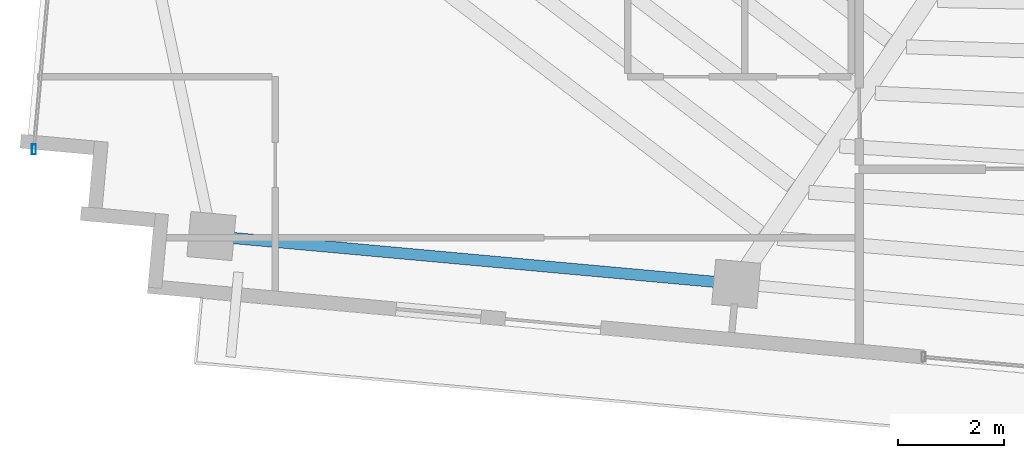
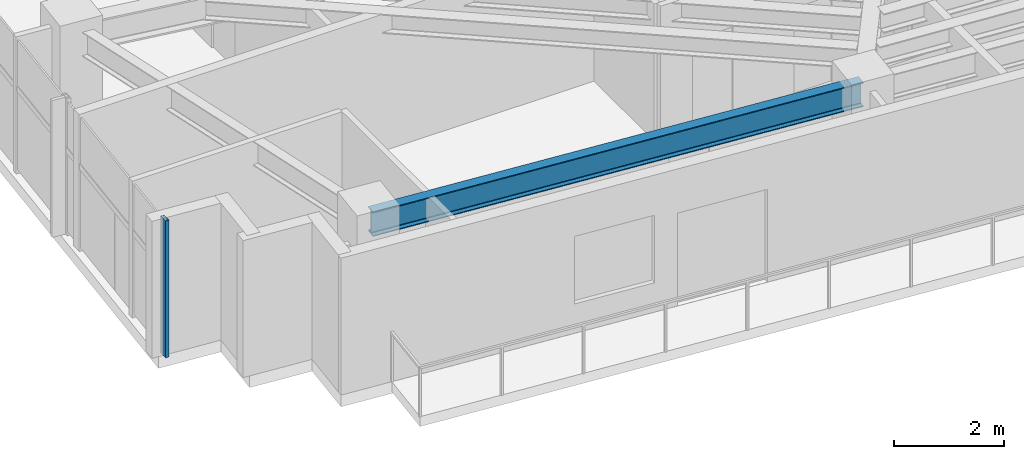
# One storey, part 2 of 22: 1 beam, 1 member, 1 element without a shape of its own.
"""IFC4 building model written with IfcOpenShell, lengths in metres."""

from ifc_helpers import new_model, si_unit, direction, frame, origin, origin_2d, place, context, subcontext, project, spatial, hollow_rectangle, i_section, extrude, source, transform, mapped, material, material_profile, profile_set, type_object, type_shapes, element, aggregate, save


model = new_model("IFC4")

# Units and contexts
model_context = context("Model", 3, precision=1e-05, world=origin(), true_north=direction((0.0, 1.0)))
body_context = subcontext(model_context, "Body", "Model", "MODEL_VIEW")
ifc_project = project(units=[si_unit("LENGTHUNIT", "METRE"), si_unit("AREAUNIT", "SQUARE_METRE"), si_unit("VOLUMEUNIT", "CUBIC_METRE"), si_unit("PLANEANGLEUNIT", "RADIAN"), si_unit("MASSUNIT", "GRAM", prefix="KILO")], contexts=[model_context])

# Site, building, storey
site_placement = place(None, origin())
site = spatial("IfcSite", under=ifc_project, at=site_placement, CompositionType="ELEMENT")
building_placement = place(site_placement, origin())
building = spatial("IfcBuilding", under=site, at=building_placement, Name="Astriad Promenade Condominiums", CompositionType="ELEMENT")
storey_placement = place(building_placement, frame((0.0, 0.0, 223.199951171875)))
storey = spatial("IfcBuildingStorey", under=building, at=storey_placement, Name="L64", CompositionType="ELEMENT", Elevation=223.199951171875)

# Beam
ifc_material_1 = material(Name="Steel ASTM A992 Grade 50", Category="steel")
ifc_material_profile_1 = material_profile(ifc_material_1, i_section(OverallWidth=0.210693359375, OverallDepth=0.53955078125, WebThickness=0.01171875, FlangeThickness=0.018798828125, FilletRadius=0.0166015625, at=origin_2d()), Name="W21X73")
ifc_profile_set_1 = profile_set([ifc_material_profile_1], Name="Steel ASTM A992 Grade 50")
beam_type = type_object("IfcBeamType", Name="STEEL SPANDREL BEAM W21X73", PredefinedType="SPANDREL", material=ifc_profile_set_1)
shared_shape_1 = source(origin(), body_context, "Body", "SweptSolid", [
    extrude(i_section(OverallWidth=0.210693359375, OverallDepth=0.53955078125, WebThickness=0.01171875, FlangeThickness=0.018798828125, FilletRadius=0.0166015625, at=origin_2d()), origin(), (0.0, 0.0, 1.0), 9.8203125),
])
type_shapes(beam_type, [shared_shape_1])
beam_placement = place(storey_placement, frame((12.421630859375, 12.102783203125, 2.770263671875), z_axis=(0.995883419264, -0.090643340822, 0.0), x_axis=(0.090643340822, 0.995883419264, 0.0)))
element("IfcBeam", 1, at=beam_placement, inside=storey, type_object=beam_type, Name="Perimeter Spandrel Beam SP-S1-L64", PredefinedType="SPANDREL", context=body_context, shape_type="MappedRepresentation", body=[
    mapped(shared_shape_1, transform((0.0, 0.0, 0.0), scale=1.0)),
])

# Curtain wall, member
ifc_material_2 = material(Name="Anodised aluminium Black Dark Glass Unitised", Category="aluminium")
curtain_wall_type = type_object("IfcCurtainWallType", Name="CW-B5-DARK", PredefinedType="USERDEFINED", material=ifc_material_2)
curtain_wall_placement = place(storey_placement, origin())
curtain_wall = element("IfcCurtainWall", 2, at=curtain_wall_placement, inside=storey, type_object=curtain_wall_type, Name="CW-L64-W", ObjectType="UNITISED_CURTAIN_WALL", PredefinedType="USERDEFINED")
ifc_material_3 = material(Name="Anodised aluminium 6063-T6 Black", Category="aluminium")
ifc_material_profile_2 = material_profile(ifc_material_3, hollow_rectangle(XDim=0.074951171875, YDim=0.18505859375, WallThickness=0.00439453125, at=origin_2d()), Name="ALU-MUL-75X185")
ifc_profile_set_2 = profile_set([ifc_material_profile_2], Name="Anodised aluminium 6063-T6 Black")
member_type = type_object("IfcMemberType", Name="MUL-ALU-MUL-75X185", PredefinedType="MULLION", material=ifc_profile_set_2)
shared_shape_2 = source(origin(), body_context, "Body", "SweptSolid", [
    extrude(hollow_rectangle(XDim=0.074951171875, YDim=0.18505859375, WallThickness=0.00439453125, at=origin_2d()), origin(), (0.0, 0.0, 1.0), 3.0400390625),
])
type_shapes(member_type, [shared_shape_2])
member_placement = place(storey_placement, frame((9.0458984375, 13.7353515625, 0.0), z_axis=(0.0, 0.0, 1.0), x_axis=(1.0, 0.0, 0.0)))
member = element("IfcMember", 3, at=member_placement, type_object=member_type, Name="CW-L64-W-MUL-00", PredefinedType="MULLION", context=body_context, shape_type="MappedRepresentation", body=[
    mapped(shared_shape_2, transform((0.0, 0.0, 0.0), scale=1.0)),
])
aggregate(curtain_wall, [member])

save(model, "model.ifc")
